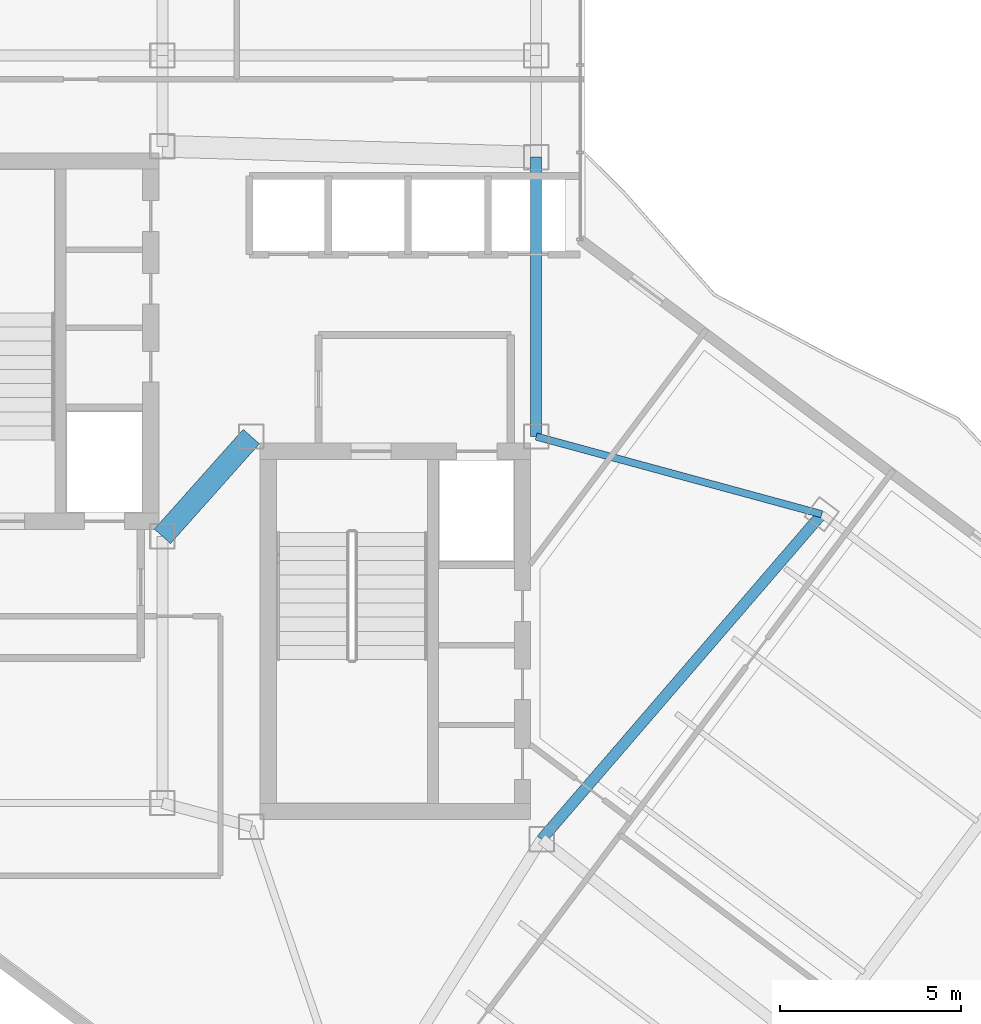
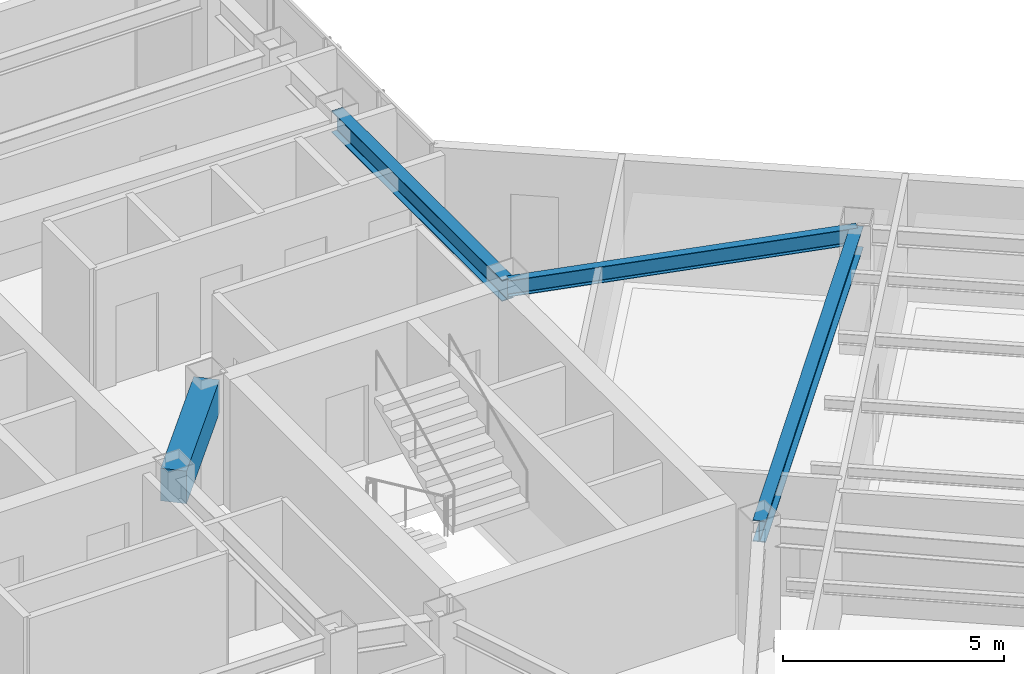
# One storey, part 9 of 25: 4 beams.
"""IFC4 building model written with IfcOpenShell, lengths in metres."""

from ifc_helpers import new_model, si_unit, direction, frame, origin, origin_2d, place, context, subcontext, project, spatial, rectangle, i_section, extrude, material, material_profile, profile_set, type_object, element, save


model = new_model("IFC4")

# Units and contexts
model_context = context("Model", 3, precision=1e-05, world=origin(), true_north=direction((0.0, 1.0)))
body_context = subcontext(model_context, "Body", "Model", "MODEL_VIEW")
ifc_project = project(units=[si_unit("LENGTHUNIT", "METRE"), si_unit("AREAUNIT", "SQUARE_METRE"), si_unit("VOLUMEUNIT", "CUBIC_METRE"), si_unit("PLANEANGLEUNIT", "RADIAN"), si_unit("MASSUNIT", "GRAM", prefix="KILO")], contexts=[model_context])

# Site, building, storey
site_placement = place(None, origin())
site = spatial("IfcSite", under=ifc_project, at=site_placement, CompositionType="ELEMENT")
building_placement = place(site_placement, origin())
building = spatial("IfcBuilding", under=site, at=building_placement, Name="Hatsunagi Terrace Concourse", CompositionType="ELEMENT")
storey_placement = place(building_placement, frame((0.0, 0.0, 216.75)))
storey = spatial("IfcBuildingStorey", under=building, at=storey_placement, Name="L57", CompositionType="ELEMENT", Elevation=216.75)

# Beams
ifc_material_1 = material(Name="Concrete Fc42", Category="concrete")
ifc_material_profile_1 = material_profile(ifc_material_1, rectangle(XDim=0.60009765625, YDim=0.89990234375, at=origin_2d()), Name="RC-600x900")
ifc_profile_set_1 = profile_set([ifc_material_profile_1], Name="Concrete Fc42")
beam_type_1 = type_object("IfcBeamType", Name="CoreCouplingBeam_RC_600x900", PredefinedType="BEAM", material=ifc_profile_set_1)
beam_1_placement = place(storey_placement, frame((33.35009765625, 32.550048828125, 2.89990234375), z_axis=(0.665198651008, 0.746666427997, 0.0), x_axis=(-0.746666427997, 0.665198651008, 0.0)))
element("IfcBeam", 1, at=beam_1_placement, inside=storey, type_object=beam_type_1, Name="Beam CB-03 CB-L57-1", PredefinedType="BEAM", context=body_context, shape_type="SweptSolid", body=[
    extrude(rectangle(XDim=0.60009765625, YDim=0.89990234375, at=origin_2d()), origin(), (0.0, 0.0, 1.0), 3.68310546875),
])
ifc_material_2 = material(Name="Steel SN490B", Category="steel")
ifc_material_profile_2 = material_profile(ifc_material_2, i_section(OverallWidth=0.300048828125, OverallDepth=0.587890625, WebThickness=0.011962890625, FlangeThickness=0.02001953125, FilletRadius=0.01806640625, at=origin_2d()), Name="H-588x300x12x20")
ifc_profile_set_2 = profile_set([ifc_material_profile_2], Name="Steel SN490B")
beam_type_2 = type_object("IfcBeamType", Name="OfficeHighGirder_H_588x300", PredefinedType="BEAM", material=ifc_profile_set_2)
beam_2_placement = place(storey_placement, frame((43.64990234375, 35.300048828125, 3.055908203125), z_axis=(0.0, 1.0, 0.0), x_axis=(-1.0, 0.0, 0.0)))
element("IfcBeam", 2, at=beam_2_placement, inside=storey, type_object=beam_type_2, Name="Beam G-06 BM-L57-CBK3", PredefinedType="BEAM", context=body_context, shape_type="SweptSolid", body=[
    extrude(i_section(OverallWidth=0.300048828125, OverallDepth=0.587890625, WebThickness=0.011962890625, FlangeThickness=0.02001953125, FilletRadius=0.01806640625, at=origin_2d()), origin(), (0.0, 0.0, 1.0), 7.699951171875),
])
beam_3_placement = place(storey_placement, frame((43.800048828125, 24.199951171875, 3.055908203125), z_axis=(0.652739101421, 0.757582777969, 0.0), x_axis=(-0.757582777969, 0.652739101421, 0.0)))
element("IfcBeam", 3, at=beam_3_placement, inside=storey, type_object=beam_type_2, Name="Beam G-06 BM-L57-SET-1B", PredefinedType="BEAM", context=body_context, shape_type="SweptSolid", body=[
    extrude(i_section(OverallWidth=0.300048828125, OverallDepth=0.587890625, WebThickness=0.011962890625, FlangeThickness=0.02001953125, FilletRadius=0.01806640625, at=origin_2d()), origin(), (0.0, 0.0, 1.0), 11.8271484375),
])
ifc_material_3 = material(Name="Steel SN490B", Category="steel")
ifc_material_profile_3 = material_profile(ifc_material_3, i_section(OverallWidth=0.199951171875, OverallDepth=0.449951171875, WebThickness=0.009033203125, FlangeThickness=0.013916015625, FilletRadius=0.01611328125, at=origin_2d()), Name="H-450x200x9x14")
ifc_profile_set_3 = profile_set([ifc_material_profile_3], Name="Steel SN490B")
beam_type_3 = type_object("IfcBeamType", Name="PerimeterSpandrel_H_450x200", PredefinedType="SPANDREL", material=ifc_profile_set_3)
beam_4_placement = place(storey_placement, frame((43.64990234375, 35.300048828125, 3.125), z_axis=(0.964958359286, -0.262403057994, 0.0), x_axis=(0.262403057994, 0.964958359286, 0.0)))
element("IfcBeam", 4, at=beam_4_placement, inside=storey, type_object=beam_type_3, Name="Beam SP-02 BM-L57-SE-NE0", PredefinedType="SPANDREL", context=body_context, shape_type="SweptSolid", body=[
    extrude(i_section(OverallWidth=0.199951171875, OverallDepth=0.449951171875, WebThickness=0.009033203125, FlangeThickness=0.013916015625, FilletRadius=0.01611328125, at=origin_2d()), origin(), (0.0, 0.0, 1.0), 8.156005859375),
])

save(model, "model.ifc")
